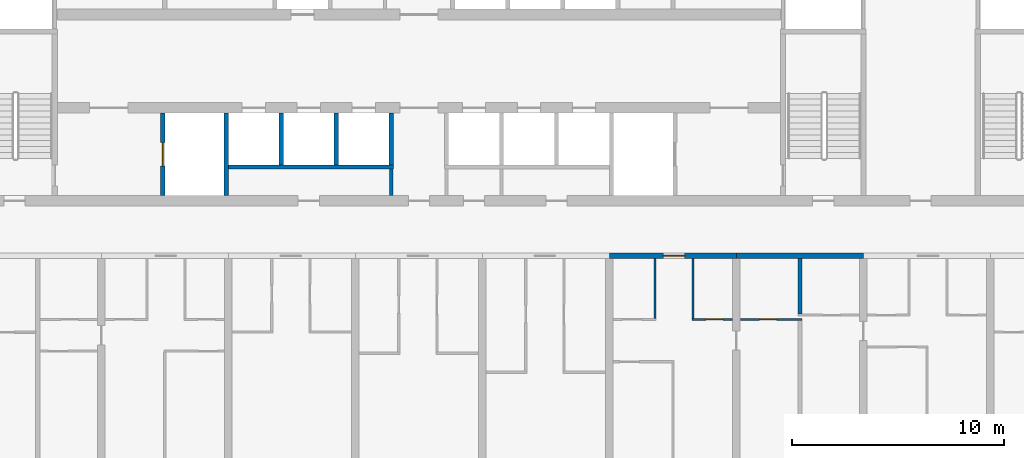
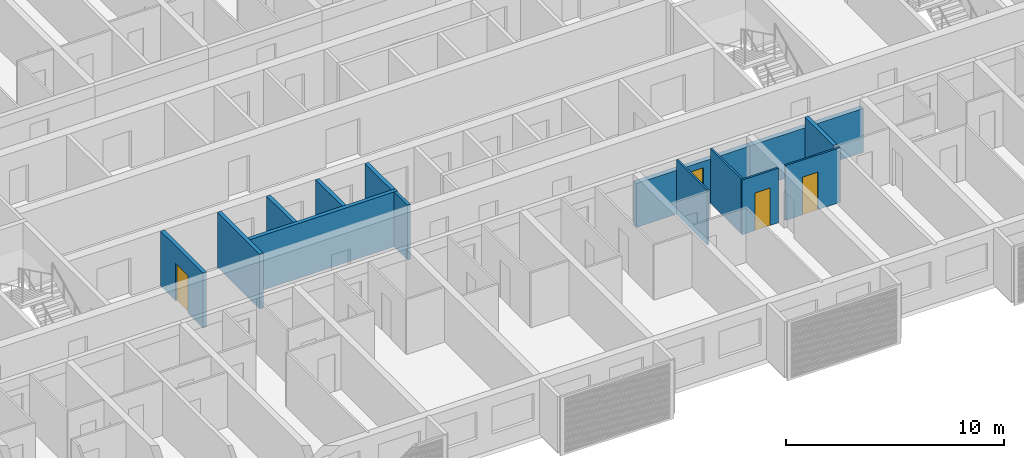
# One storey, part 6 of 29: 14 walls, 4 doors, 4 openings.
"""IFC4 building model written with IfcOpenShell, lengths in metres."""

from ifc_helpers import new_model, si_unit, direction, frame, frame_2d, origin, place, context, subcontext, project, spatial, rectangle, extrude, material, layer, layer_set, type_object, element, fill, save


model = new_model("IFC4")

# Units and contexts
model_context = context("Model", 3, precision=1e-05, world=origin(), true_north=direction((0.0, 1.0)))
body_context = subcontext(model_context, "Body", "Model", "MODEL_VIEW")
ifc_project = project(units=[si_unit("LENGTHUNIT", "METRE"), si_unit("AREAUNIT", "SQUARE_METRE"), si_unit("VOLUMEUNIT", "CUBIC_METRE"), si_unit("PLANEANGLEUNIT", "RADIAN"), si_unit("MASSUNIT", "GRAM", prefix="KILO")], contexts=[model_context])

# Site, building, storey
site_placement = place(None, origin())
site = spatial("IfcSite", under=ifc_project, at=site_placement, CompositionType="ELEMENT")
building_placement = place(site_placement, origin())
building = spatial("IfcBuilding", under=site, at=building_placement, Name="Poui Terraces", CompositionType="ELEMENT")
storey_placement = place(building_placement, frame((0.0, 0.0, 86.10009765625)))
storey = spatial("IfcBuildingStorey", under=building, at=storey_placement, Name="L23", CompositionType="ELEMENT", Elevation=86.10009765625)

# Wall
ifc_material_1 = material(Name="Fire-rated plasterboard wall")
ifc_layer_1 = layer(ifc_material_1, 0.14990234375)
ifc_layer_set_1 = layer_set([ifc_layer_1], Name="Fire-rated plasterboard wall")
wall_type_1 = type_object("IfcWallType", Name="CORRIDOR WALL 150", PredefinedType="PARTITIONING", material=ifc_layer_set_1)
wall_1_placement = place(storey_placement, frame((49.699951171875, 14.860107421875, 0.0), z_axis=(0.0, 0.0, 1.0), x_axis=(0.0, 1.0, 0.0)))
element("IfcWall", 1, at=wall_1_placement, inside=storey, type_object=wall_type_1, Name="CORRIDOR WALL 150", PredefinedType="PARTITIONING", context=body_context, shape_type="SweptSolid", body=[
    extrude(rectangle(XDim=1.239990234375, YDim=0.14990234375, at=frame_2d((0.6201171875, 0.0))), origin(), (0.0, 0.0, 1.0), 3.059814453125),
])

# Wall, opening, door
ifc_material_2 = material(Name="Concrete 65 MPa", Category="concrete")
ifc_layer_2 = layer(ifc_material_2, 0.25)
ifc_layer_set_2 = layer_set([ifc_layer_2], Name="Concrete 65 MPa")
wall_type_2 = type_object("IfcWallType", Name="CORRIDOR WALL 250 65MPa", PredefinedType="SHEAR", material=ifc_layer_set_2)
wall_2_placement = place(storey_placement, frame((60.0, 12.0, 0.0), z_axis=(0.0, 0.0, 1.0), x_axis=(1.0, 0.0, 0.0)))
wall_2 = element("IfcWall", 2, at=wall_2_placement, inside=storey, type_object=wall_type_2, Name="CORRIDOR WALL LINE B BAY 10", PredefinedType="SHEAR", context=body_context, shape_type="SweptSolid", body=[
    extrude(rectangle(XDim=6.0, YDim=0.25, at=frame_2d((3.0, 0.0))), origin(), (0.0, 0.0, 1.0), 2.4599609375),
])
opening_1_placement = place(wall_2_placement, frame((2.550048828125, 0.0, 0.0)))
opening_1 = element("IfcOpeningElement", 3, at=opening_1_placement, cuts=wall_2, Name="Opening FD30S", PredefinedType="OPENING", context=body_context, shape_type="SweptSolid", body=[
    extrude(rectangle(XDim=1.0, YDim=2.10009765625, at=frame_2d((0.5, 1.050048828125))), frame((0.0, 0.135009765625, 0.0), z_axis=(0.0, -1.0, 0.0), x_axis=(1.0, 0.0, 0.0)), (0.0, 0.0, 1.0), 0.27001953125),
])
ifc_material_3 = material(Name="Steel fire door", Category="steel")
door_type_1 = type_object("IfcDoorType", Name="FLAT ENTRANCE DOOR 1000 X 2100", OperationType="NOTDEFINED", PredefinedType="DOOR", material=ifc_material_3)
door_1_placement = place(opening_1_placement, frame((1.0, 0.0, 0.0), z_axis=(0.0, 0.0, 1.0), x_axis=(-1.0, 0.0, 0.0)))
door_1 = element("IfcDoor", 4, at=door_1_placement, inside=storey, type_object=door_type_1, Name="FLAT ENTRANCE DOOR 118", OperationType="SINGLE_SWING_LEFT", OverallHeight=2.10009765625, OverallWidth=1.0, PredefinedType="DOOR", context=body_context, shape_type="SweptSolid", body=[
    extrude(rectangle(XDim=1.0, YDim=2.10009765625, at=frame_2d((0.5, 1.050048828125))), frame((0.0, 0.02490234375, 0.0), z_axis=(0.0, -1.0, 0.0), x_axis=(1.0, 0.0, 0.0)), (0.0, 0.0, 1.0), 0.050048828125),
])
fill(opening_1, door_1)

# Wall
wall_3_placement = place(storey_placement, frame((66.0, 12.0, 0.0), z_axis=(0.0, 0.0, 1.0), x_axis=(1.0, 0.0, 0.0)))
element("IfcWall", 5, at=wall_3_placement, inside=storey, type_object=wall_type_2, Name="CORRIDOR WALL LINE B BAY 11", PredefinedType="SHEAR", context=body_context, shape_type="SweptSolid", body=[
    extrude(rectangle(XDim=6.0, YDim=0.25, at=frame_2d((3.0, 0.0))), origin(), (0.0, 0.0, 1.0), 2.4599609375),
])

# Wall, opening, door
ifc_material_4 = material(Name="Plasterboard partition")
ifc_layer_3 = layer(ifc_material_4, 0.10009765625)
ifc_layer_set_3 = layer_set([ifc_layer_3], Name="Plasterboard partition")
wall_type_3 = type_object("IfcWallType", Name="FLAT PARTITION 100", PredefinedType="PARTITIONING", material=ifc_layer_set_3)
wall_4_placement = place(storey_placement, frame((63.89990234375, 9.0, 0.0), z_axis=(0.0, 0.0, 1.0), x_axis=(1.0, 0.0, 0.0)))
wall_4 = element("IfcWall", 6, at=wall_4_placement, inside=storey, type_object=wall_type_3, Name="FLAT PARTITION 100", PredefinedType="PARTITIONING", context=body_context, shape_type="SweptSolid", body=[
    extrude(rectangle(XDim=1.9150390625, YDim=0.10009765625, at=frame_2d((0.95751953125, 0.0))), origin(), (0.0, 0.0, 1.0), 3.059814453125),
])
opening_2_placement = place(wall_4_placement, frame((0.675048828125, 0.0, 0.0)))
opening_2 = element("IfcOpeningElement", 7, at=opening_2_placement, cuts=wall_4, Name="Opening D80", PredefinedType="OPENING", context=body_context, shape_type="SweptSolid", body=[
    extrude(rectangle(XDim=0.800048828125, YDim=2.10009765625, at=frame_2d((0.39990234375, 1.050048828125))), frame((0.0, 0.06005859375, 0.0), z_axis=(0.0, -1.0, 0.0), x_axis=(1.0, 0.0, 0.0)), (0.0, 0.0, 1.0), 0.1201171875),
])
ifc_material_5 = material(Name="Solid core timber door", Category="wood")
door_type_2 = type_object("IfcDoorType", Name="BATHROOM, LAUNDRY AND STORE DOOR 800 X 2100", OperationType="NOTDEFINED", PredefinedType="DOOR", material=ifc_material_5)
door_2_placement = place(opening_2_placement, origin())
door_2 = element("IfcDoor", 8, at=door_2_placement, inside=storey, type_object=door_type_2, Name="BATHROOM, LAUNDRY AND STORE DOOR 119", OperationType="SINGLE_SWING_RIGHT", OverallHeight=2.10009765625, OverallWidth=0.800048828125, PredefinedType="DOOR", context=body_context, shape_type="SweptSolid", body=[
    extrude(rectangle(XDim=0.800048828125, YDim=2.10009765625, at=frame_2d((0.39990234375, 1.050048828125))), frame((0.0, 0.02490234375, 0.0), z_axis=(0.0, -1.0, 0.0), x_axis=(1.0, 0.0, 0.0)), (0.0, 0.0, 1.0), 0.050048828125),
])
fill(opening_2, door_2)

wall_5_placement = place(storey_placement, frame((66.18505859375, 9.0, 0.0), z_axis=(0.0, 0.0, 1.0), x_axis=(1.0, 0.0, 0.0)))
wall_5 = element("IfcWall", 9, at=wall_5_placement, inside=storey, type_object=wall_type_3, Name="FLAT PARTITION 100", PredefinedType="PARTITIONING", context=body_context, shape_type="SweptSolid", body=[
    extrude(rectangle(XDim=2.9150390625, YDim=0.10009765625, at=frame_2d((1.45751953125, 0.0))), origin(), (0.0, 0.0, 1.0), 3.059814453125),
])
opening_3_placement = place(wall_5_placement, frame((0.9150390625, 0.0, 0.0)))
opening_3 = element("IfcOpeningElement", 10, at=opening_3_placement, cuts=wall_5, Name="Opening D80", PredefinedType="OPENING", context=body_context, shape_type="SweptSolid", body=[
    extrude(rectangle(XDim=0.800048828125, YDim=2.10009765625, at=frame_2d((0.39990234375, 1.050048828125))), frame((0.0, 0.06005859375, 0.0), z_axis=(0.0, -1.0, 0.0), x_axis=(1.0, 0.0, 0.0)), (0.0, 0.0, 1.0), 0.1201171875),
])
door_3_placement = place(opening_3_placement, origin())
door_3 = element("IfcDoor", 11, at=door_3_placement, inside=storey, type_object=door_type_2, Name="BATHROOM, LAUNDRY AND STORE DOOR 115", OperationType="SINGLE_SWING_LEFT", OverallHeight=2.10009765625, OverallWidth=0.800048828125, PredefinedType="DOOR", context=body_context, shape_type="SweptSolid", body=[
    extrude(rectangle(XDim=0.800048828125, YDim=2.10009765625, at=frame_2d((0.39990234375, 1.050048828125))), frame((0.0, 0.02490234375, 0.0), z_axis=(0.0, -1.0, 0.0), x_axis=(1.0, 0.0, 0.0)), (0.0, 0.0, 1.0), 0.050048828125),
])
fill(opening_3, door_3)

# Walls
for number, where, z_axis, x_axis, name in (
    (12, (62.14990234375, 9.050048828125, 0.0), (0.0, 0.0, 1.0), (0.0, 1.0, 0.0), "FLAT PARTITION 100"),
    (13, (63.949951171875, 9.050048828125, 0.0), (0.0, 0.0, 1.0), (0.0, 1.0, 0.0), "FLAT PARTITION 100"),
):
    element("IfcWall", number, at=place(storey_placement, frame(where, z_axis=z_axis, x_axis=x_axis)), inside=storey, type_object=wall_type_3, Name=name, PredefinedType="PARTITIONING", context=body_context, shape_type="SweptSolid", body=[
        extrude(rectangle(XDim=2.81494140625, YDim=0.10009765625, at=frame_2d((1.407470703125, 0.0))), origin(), (0.0, 0.0, 1.0), 3.059814453125),
    ])
ifc_material_6 = material(Name="Fire-rated masonry wall", Category="masonry")
ifc_layer_4 = layer(ifc_material_6, 0.199951171875)
ifc_layer_set_4 = layer_set([ifc_layer_4], Name="Fire-rated masonry wall")
wall_type_4 = type_object("IfcWallType", Name="FLAT PARTY WALL 200", PredefinedType="PARTITIONING", material=ifc_layer_set_4)
wall_6_placement = place(storey_placement, frame((69.0, 9.25, 0.0), z_axis=(0.0, 0.0, 1.0), x_axis=(0.0, 1.0, 0.0)))
element("IfcWall", 14, at=wall_6_placement, inside=storey, type_object=wall_type_4, Name="FLAT PARTY WALL 200", PredefinedType="PARTITIONING", context=body_context, shape_type="SweptSolid", body=[
    extrude(rectangle(XDim=2.614990234375, YDim=0.199951171875, at=frame_2d((1.3076171875, 0.0))), origin(), (0.0, 0.0, 1.0), 3.059814453125),
])
ifc_material_7 = material(Name="Fire-rated masonry shaft wall", Category="masonry")
ifc_layer_5 = layer(ifc_material_7, 0.199951171875)
ifc_layer_set_5 = layer_set([ifc_layer_5], Name="Fire-rated masonry shaft wall")
wall_type_5 = type_object("IfcWallType", Name="SHAFT WALL 200", PredefinedType="PARTITIONING", material=ifc_layer_set_5)
wall_7_placement = place(storey_placement, frame((42.0, 16.199951171875, 0.0), z_axis=(0.0, 0.0, 1.0), x_axis=(1.0, 0.0, 0.0)))
element("IfcWall", 15, at=wall_7_placement, inside=storey, type_object=wall_type_5, Name="SHAFT WALL 200", PredefinedType="PARTITIONING", context=body_context, shape_type="SweptSolid", body=[
    extrude(rectangle(XDim=7.800048828125, YDim=0.199951171875, at=frame_2d((3.89990234375, 0.0))), origin(), (0.0, 0.0, 1.0), 3.059814453125),
])

# Wall, opening, door
wall_8_placement = place(storey_placement, frame((38.89990234375, 14.860107421875, 0.0), z_axis=(0.0, 0.0, 1.0), x_axis=(0.0, 1.0, 0.0)))
wall_8 = element("IfcWall", 16, at=wall_8_placement, inside=storey, type_object=wall_type_5, Name="SHAFT WALL 200", PredefinedType="PARTITIONING", context=body_context, shape_type="SweptSolid", body=[
    extrude(rectangle(XDim=3.8798828125, YDim=0.199951171875, at=frame_2d((1.93994140625, 0.0))), origin(), (0.0, 0.0, 1.0), 3.059814453125),
])
opening_4_placement = place(wall_8_placement, frame((1.389892578125, 0.0, 0.0)))
opening_4 = element("IfcOpeningElement", 17, at=opening_4_placement, cuts=wall_8, Name="Opening LD", PredefinedType="OPENING", context=body_context, shape_type="SweptSolid", body=[
    extrude(rectangle(XDim=1.10009765625, YDim=2.10009765625, at=frame_2d((0.550048828125, 1.050048828125))), frame((0.0, 0.10986328125, 0.0), z_axis=(0.0, -1.0, 0.0), x_axis=(1.0, 0.0, 0.0)), (0.0, 0.0, 1.0), 0.219970703125),
])
ifc_material_8 = material(Name="Stainless steel sliding door", Category="steel")
door_type_3 = type_object("IfcDoorType", Name="LIFT LANDING DOOR 1100 X 2100", OperationType="DOUBLE_DOOR_SLIDING", PredefinedType="DOOR", material=ifc_material_8)
door_4_placement = place(opening_4_placement, origin())
door_4 = element("IfcDoor", 18, at=door_4_placement, inside=storey, type_object=door_type_3, Name="LANDING DOOR", OperationType="DOUBLE_DOOR_SLIDING", OverallHeight=2.10009765625, OverallWidth=1.10009765625, PredefinedType="DOOR", context=body_context, shape_type="SweptSolid", body=[
    extrude(rectangle(XDim=1.10009765625, YDim=2.10009765625, at=frame_2d((0.550048828125, 1.050048828125))), frame((0.0, 0.02490234375, 0.0), z_axis=(0.0, -1.0, 0.0), x_axis=(1.0, 0.0, 0.0)), (0.0, 0.0, 1.0), 0.050048828125),
])
fill(opening_4, door_4)

# Walls
wall_9_placement = place(storey_placement, frame((41.89990234375, 14.860107421875, 0.0), z_axis=(0.0, 0.0, 1.0), x_axis=(0.0, 1.0, 0.0)))
element("IfcWall", 19, at=wall_9_placement, inside=storey, type_object=wall_type_5, Name="SHAFT WALL 200", PredefinedType="PARTITIONING", context=body_context, shape_type="SweptSolid", body=[
    extrude(rectangle(XDim=3.8798828125, YDim=0.199951171875, at=frame_2d((1.93994140625, 0.0))), origin(), (0.0, 0.0, 1.0), 3.059814453125),
])
for number, where, z_axis, x_axis, name in (
    (20, (44.5, 16.300048828125, 0.0), (0.0, 0.0, 1.0), (0.0, 1.0, 0.0), "SHAFT WALL 200"),
    (21, (47.10009765625, 16.300048828125, 0.0), (0.0, 0.0, 1.0), (0.0, 1.0, 0.0), "SHAFT WALL 200"),
    (22, (49.699951171875, 16.300048828125, 0.0), (0.0, 0.0, 1.0), (0.0, 1.0, 0.0), "SHAFT WALL 200"),
):
    element("IfcWall", number, at=place(storey_placement, frame(where, z_axis=z_axis, x_axis=x_axis)), inside=storey, type_object=wall_type_5, Name=name, PredefinedType="PARTITIONING", context=body_context, shape_type="SweptSolid", body=[
        extrude(rectangle(XDim=2.43994140625, YDim=0.199951171875, at=frame_2d((1.219970703125, 0.0))), origin(), (0.0, 0.0, 1.0), 3.059814453125),
    ])

save(model, "model.ifc")
